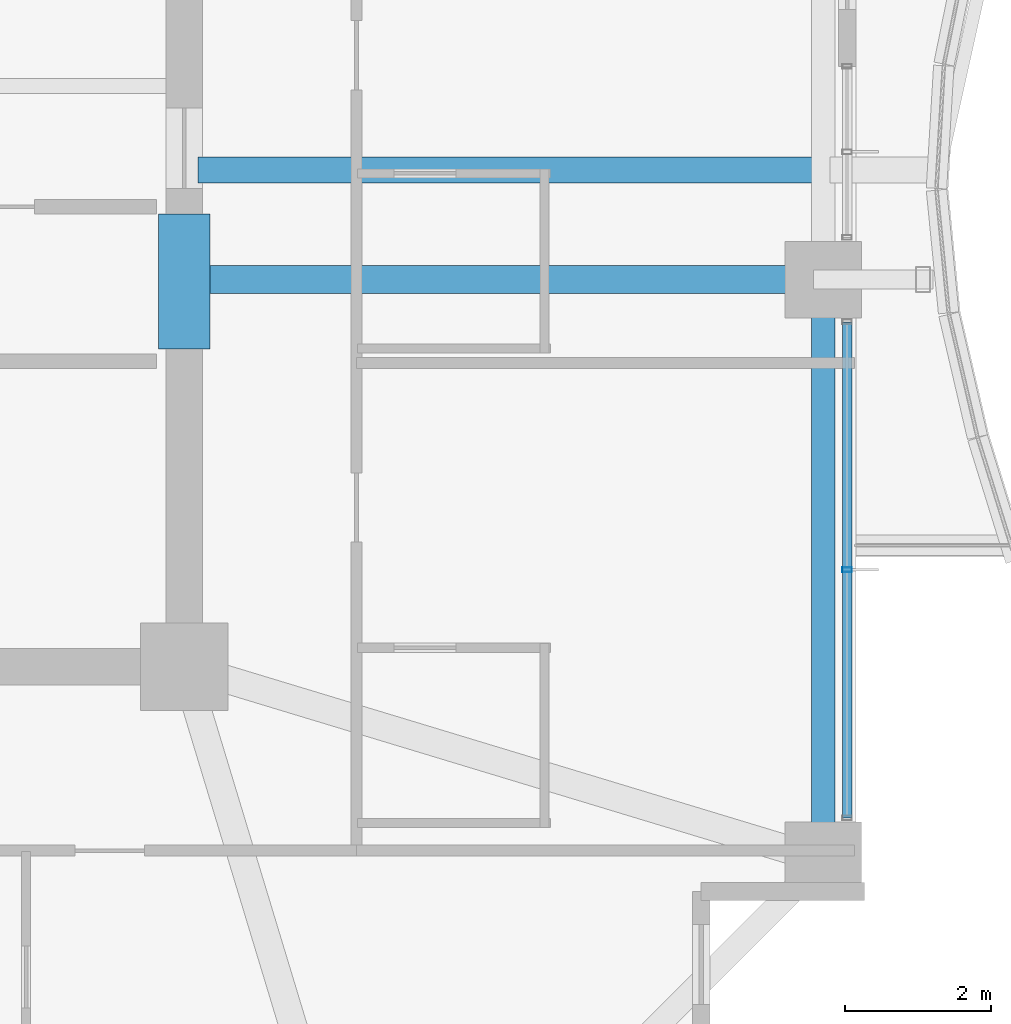
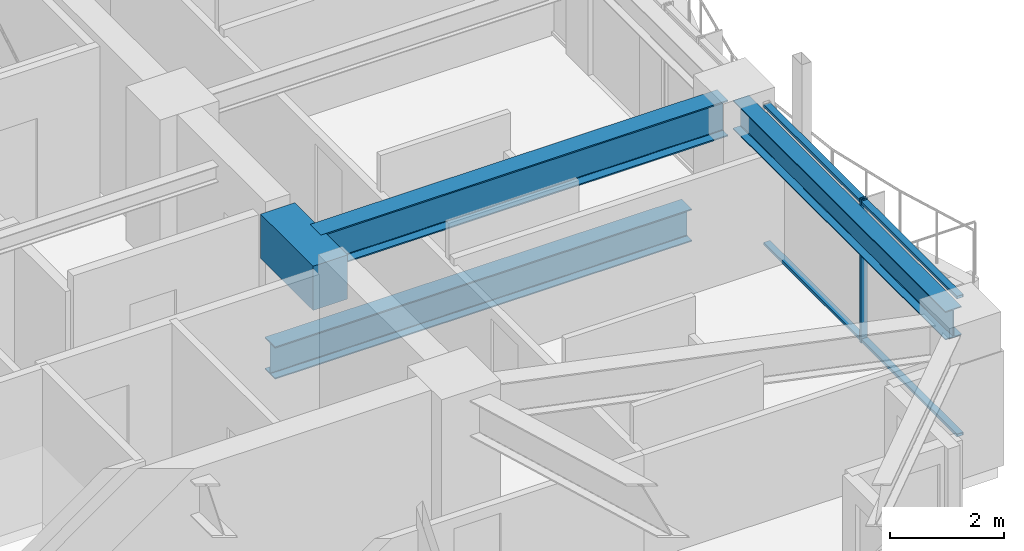
# One storey, part 15 of 38: 4 beams, 3 members, 1 element without a shape of its own.
"""IFC4 building model written with IfcOpenShell, lengths in metres."""

from ifc_helpers import new_model, si_unit, direction, frame, origin, origin_2d, place, context, subcontext, project, spatial, rectangle, hollow_rectangle, i_section, extrude, material, material_profile, profile_set, type_object, element, aggregate, save


model = new_model("IFC4")

# Units and contexts
model_context = context("Model", 3, precision=1e-05, world=origin(), true_north=direction((0.0, 1.0)))
body_context = subcontext(model_context, "Body", "Model", "MODEL_VIEW")
ifc_project = project(units=[si_unit("LENGTHUNIT", "METRE"), si_unit("AREAUNIT", "SQUARE_METRE"), si_unit("VOLUMEUNIT", "CUBIC_METRE"), si_unit("PLANEANGLEUNIT", "RADIAN"), si_unit("MASSUNIT", "GRAM", prefix="KILO")], contexts=[model_context])

# Site, building, storey
site_placement = place(None, origin())
site = spatial("IfcSite", under=ifc_project, at=site_placement, CompositionType="ELEMENT")
building_placement = place(site_placement, origin())
building = spatial("IfcBuilding", under=site, at=building_placement, Name="Kolvaren Belvedere", CompositionType="ELEMENT")
storey_placement = place(building_placement, frame((0.0, 0.0, 121.699951171875)))
storey = spatial("IfcBuildingStorey", under=building, at=storey_placement, Name="L35", CompositionType="ELEMENT", Elevation=121.699951171875)

# Beams
ifc_material_1 = material(Name="Structural steel ASTM A992 Grade 50", Category="steel")
ifc_material_profile_1 = material_profile(ifc_material_1, i_section(OverallWidth=0.35498046875, OverallDepth=0.696044921875, WebThickness=0.015380859375, FlangeThickness=0.02490234375, FilletRadius=0.02197265625, at=origin_2d()), Name="W27X146")
ifc_profile_set_1 = profile_set([ifc_material_profile_1], Name="Structural steel ASTM A992 Grade 50")
beam_type_1 = type_object("IfcBeamType", Name="BM-GIRD-W27X146", PredefinedType="BEAM", material=ifc_profile_set_1)
beam_1_placement = place(storey_placement, frame((10.090087890625, -3.10009765625, -0.56787109375), z_axis=(1.0, 0.0, 0.0), x_axis=(0.0, 1.0, 0.0)))
element("IfcBeam", 1, at=beam_1_placement, inside=storey, type_object=beam_type_1, Name="L35 Balcony Interior Back-Span Girder BAL-E-1", PredefinedType="BEAM", context=body_context, shape_type="SweptSolid", body=[
    extrude(i_section(OverallWidth=0.35498046875, OverallDepth=0.696044921875, WebThickness=0.015380859375, FlangeThickness=0.02490234375, FilletRadius=0.02197265625, at=origin_2d()), origin(), (0.0, 0.0, 1.0), 8.46484375),
])
ifc_material_2 = material(Name="Structural steel ASTM A992 Grade 50", Category="steel")
ifc_material_profile_2 = material_profile(ifc_material_2, i_section(OverallWidth=0.381103515625, OverallDepth=0.77294921875, WebThickness=0.0166015625, FlangeThickness=0.027099609375, FilletRadius=0.02392578125, at=origin_2d()), Name="W30X173")
ifc_profile_set_2 = profile_set([ifc_material_profile_2], Name="Structural steel ASTM A992 Grade 50")
beam_type_2 = type_object("IfcBeamType", Name="BM-GIRD-W30X173", PredefinedType="BEAM", material=ifc_profile_set_2)
beam_2_placement = place(storey_placement, frame((10.14990234375, -4.60009765625, 2.693603515625), z_axis=(1.0, 0.0, 0.0), x_axis=(0.0, 1.0, 0.0)))
element("IfcBeam", 2, at=beam_2_placement, inside=storey, type_object=beam_type_2, Name="L35 East Radial Girder M", PredefinedType="BEAM", context=body_context, shape_type="SweptSolid", body=[
    extrude(i_section(OverallWidth=0.381103515625, OverallDepth=0.77294921875, WebThickness=0.0166015625, FlangeThickness=0.027099609375, FilletRadius=0.02392578125, at=origin_2d()), origin(), (0.0, 0.0, 1.0), 8.263916015625),
])
ifc_material_3 = material(Name="Concrete C60/75", Category="concrete")
ifc_material_profile_3 = material_profile(ifc_material_3, rectangle(XDim=0.699951171875, YDim=0.949951171875, at=origin_2d()), Name="RC 700X950")
ifc_profile_set_3 = profile_set([ifc_material_profile_3], Name="Concrete C60/75")
beam_type_3 = type_object("IfcBeamType", Name="BM-LINT-950", PredefinedType="LINTEL", material=ifc_profile_set_3)
beam_3_placement = place(storey_placement, frame((9.89990234375, -5.550048828125, 2.60498046875), z_axis=(0.0, 1.0, 0.0), x_axis=(-1.0, 0.0, 0.0)))
element("IfcBeam", 3, at=beam_3_placement, inside=storey, type_object=beam_type_3, Name="L35 East Core Coupling Lintel", PredefinedType="LINTEL", context=body_context, shape_type="SweptSolid", body=[
    extrude(rectangle(XDim=0.699951171875, YDim=0.949951171875, at=origin_2d()), origin(), (0.0, 0.0, 1.0), 1.85009765625),
])
ifc_material_4 = material(Name="Structural steel ASTM A992 Grade 50", Category="steel")
ifc_material_profile_4 = material_profile(ifc_material_4, i_section(OverallWidth=0.324951171875, OverallDepth=0.615966796875, WebThickness=0.013916015625, FlangeThickness=0.021484375, FilletRadius=0.02001953125, at=origin_2d()), Name="W24X117")
ifc_profile_set_4 = profile_set([ifc_material_profile_4], Name="Structural steel ASTM A992 Grade 50")
beam_type_4 = type_object("IfcBeamType", Name="BM-SPAN-W24X117", PredefinedType="SPANDREL", material=ifc_profile_set_4)
beam_4_placement = place(storey_placement, frame((18.64990234375, -12.313720703125, 2.77197265625), z_axis=(0.0, 1.0, 0.0), x_axis=(-1.0, 0.0, 0.0)))
element("IfcBeam", 4, at=beam_4_placement, inside=storey, type_object=beam_type_4, Name="L35 Perimeter Spandrel E1-E2", PredefinedType="SPANDREL", context=body_context, shape_type="SweptSolid", body=[
    extrude(i_section(OverallWidth=0.324951171875, OverallDepth=0.615966796875, WebThickness=0.013916015625, FlangeThickness=0.021484375, FilletRadius=0.02001953125, at=origin_2d()), origin(), (0.0, 0.0, 1.0), 7.4775390625),
])

# Curtain wall, members
ifc_material_5 = material(Name="Anodised pale-metal aluminium AA 6063-T6", Category="aluminium")
curtain_wall_type = type_object("IfcCurtainWallType", Name="CW-Z3-WAIST", PredefinedType="NOTDEFINED", material=ifc_material_5)
curtain_wall_placement = place(storey_placement, origin())
curtain_wall = element("IfcCurtainWall", 5, at=curtain_wall_placement, inside=storey, type_object=curtain_wall_type, Name="L35 Unitised Curtain Wall FCW-L35-E2-B2", PredefinedType="NOTDEFINED")
ifc_material_6 = material(Name="Anodised pale-metal aluminium AA 6063-T6", Category="aluminium")
ifc_material_profile_5 = material_profile(ifc_material_6, hollow_rectangle(XDim=0.06494140625, YDim=0.1298828125, WallThickness=0.00390625, at=origin_2d()), Name="ALU-MUL-130X65")
ifc_profile_set_5 = profile_set([ifc_material_profile_5], Name="Anodised pale-metal aluminium AA 6063-T6")
member_type_1 = type_object("IfcMemberType", Name="CW-MUL-130", PredefinedType="MULLION", material=ifc_profile_set_5)
member_1_placement = place(storey_placement, frame((18.97998046875, -8.574951171875, 0.0), z_axis=(0.0, 0.0, 1.0), x_axis=(0.0, 1.0, 0.0)))
member_1 = element("IfcMember", 6, at=member_1_placement, type_object=member_type_1, Name="FCW-L35-E2-B2 Unitised Mullion 2", PredefinedType="MULLION", context=body_context, shape_type="SweptSolid", body=[
    extrude(hollow_rectangle(XDim=0.06494140625, YDim=0.1298828125, WallThickness=0.00390625, at=origin_2d()), origin(), (0.0, 0.0, 1.0), 3.080078125),
])
ifc_material_7 = material(Name="Anodised pale-metal aluminium AA 6063-T6", Category="aluminium")
ifc_material_profile_6 = material_profile(ifc_material_7, hollow_rectangle(XDim=0.06005859375, YDim=0.1298828125, WallThickness=0.00390625, at=origin_2d()), Name="ALU-TRN-130X60")
ifc_profile_set_6 = profile_set([ifc_material_profile_6], Name="Anodised pale-metal aluminium AA 6063-T6")
member_type_2 = type_object("IfcMemberType", Name="CW-TRN-130", PredefinedType="USERDEFINED", material=ifc_profile_set_6)
member_2_placement = place(storey_placement, frame((18.97998046875, -5.177490234375, 0.06005859375), z_axis=(0.0, -1.0, 0.0), x_axis=(0.0, 0.0, 1.0)))
member_2 = element("IfcMember", 7, at=member_2_placement, type_object=member_type_2, Name="FCW-L35-E2-B2 Sill Transom", ObjectType="TRANSOM", PredefinedType="USERDEFINED", context=body_context, shape_type="SweptSolid", body=[
    extrude(hollow_rectangle(XDim=0.06005859375, YDim=0.1298828125, WallThickness=0.00390625, at=origin_2d()), origin(), (0.0, 0.0, 1.0), 6.794921875),
])
member_3_placement = place(storey_placement, frame((18.97998046875, -5.177490234375, 3.02001953125), z_axis=(0.0, -1.0, 0.0), x_axis=(0.0, 0.0, 1.0)))
member_3 = element("IfcMember", 8, at=member_3_placement, type_object=member_type_2, Name="FCW-L35-E2-B2 Head Transom", ObjectType="TRANSOM", PredefinedType="USERDEFINED", context=body_context, shape_type="SweptSolid", body=[
    extrude(hollow_rectangle(XDim=0.06005859375, YDim=0.1298828125, WallThickness=0.00390625, at=origin_2d()), origin(), (0.0, 0.0, 1.0), 6.794921875),
])
aggregate(curtain_wall, [member_1, member_2, member_3])

save(model, "model.ifc")
